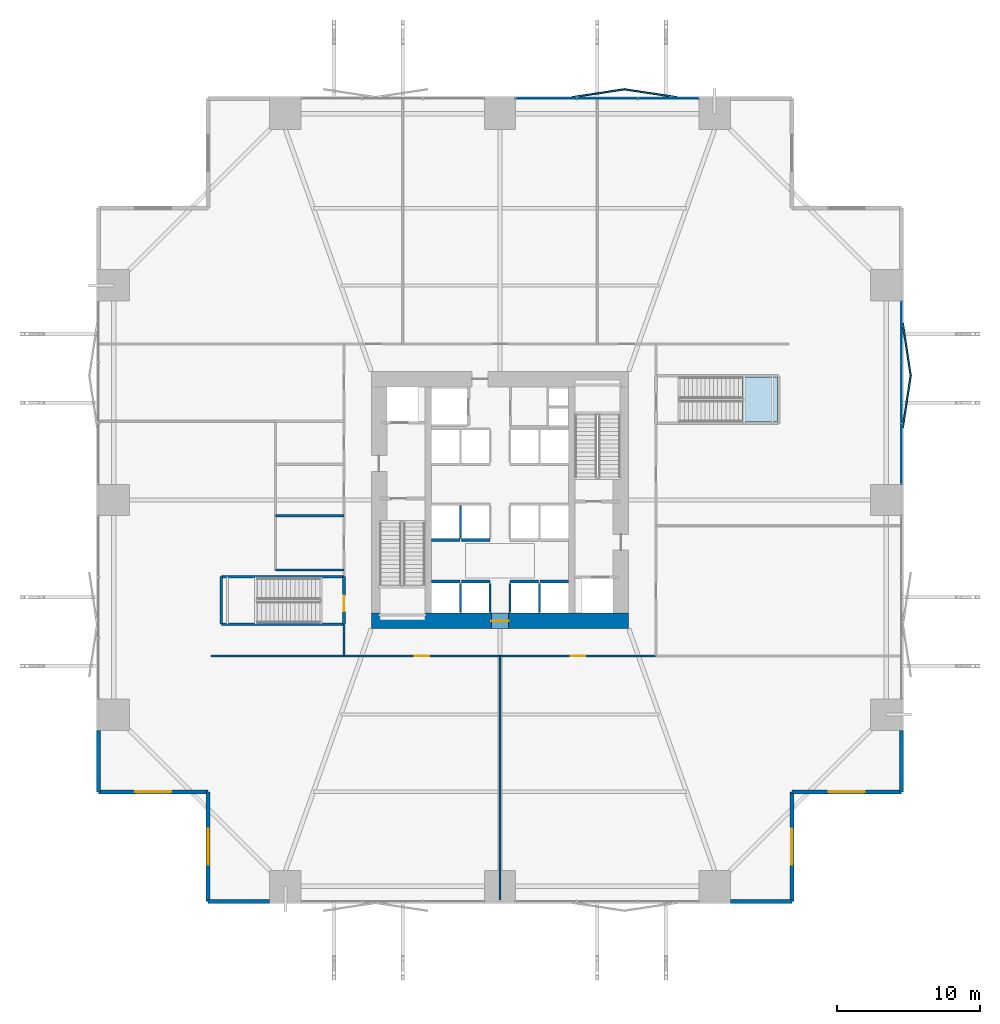
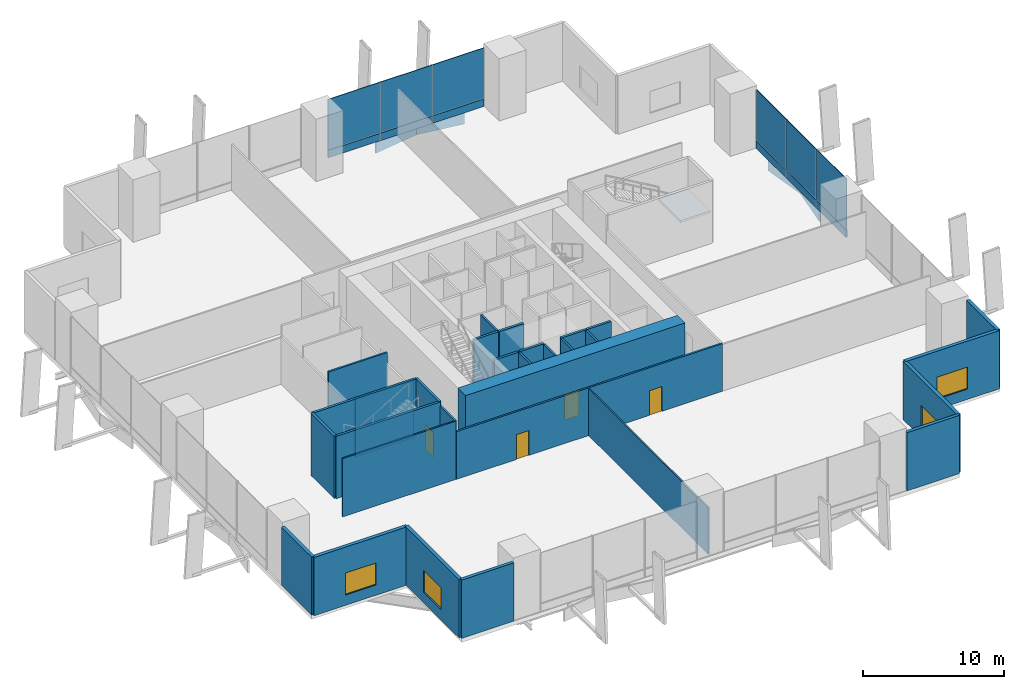
# One storey, part 19 of 24: 30 walls, 16 plates, 4 doors, 4 windows, 1 slab, 8 openings, 3 elements without a shape of their own.
"""IFC4 building model written with IfcOpenShell, lengths in metres."""

from ifc_helpers import new_model, si_unit, direction, frame, frame_2d, origin, origin_2d, place, context, subcontext, project, spatial, polyline, rectangle, outline, extrude, material, layer, layer_set, type_object, element, fill, aggregate, save


model = new_model("IFC4")

# Units and contexts
model_context = context("Model", 3, precision=1e-05, world=origin(), true_north=direction((0.0, 1.0)))
body_context = subcontext(model_context, "Body", "Model", "MODEL_VIEW")
ifc_project = project(units=[si_unit("LENGTHUNIT", "METRE"), si_unit("AREAUNIT", "SQUARE_METRE"), si_unit("VOLUMEUNIT", "CUBIC_METRE"), si_unit("PLANEANGLEUNIT", "RADIAN"), si_unit("MASSUNIT", "GRAM", prefix="KILO")], contexts=[model_context])

# Site, building, storey
site_placement = place(None, origin())
site = spatial("IfcSite", under=ifc_project, at=site_placement, CompositionType="ELEMENT")
building_placement = place(site_placement, origin())
building = spatial("IfcBuilding", under=site, at=building_placement, Name="Belovzor Exchange Tower", CompositionType="ELEMENT")
storey_placement = place(building_placement, frame((0.0, 0.0, 8.39990234375)))
storey = spatial("IfcBuildingStorey", under=building, at=storey_placement, Name="L02", CompositionType="ELEMENT", Elevation=8.39990234375)

# Plates
ifc_material_1 = material(Name="Extruded Architectural Terracotta", Category="masonry")
ifc_layer_1 = layer(ifc_material_1, 0.1201171875)
ifc_layer_set_1 = layer_set([ifc_layer_1], Name="Extruded Architectural Terracotta")
plate_type_1 = type_object("IfcPlateType", Name="Folded Zigzag Terracotta Spandrel Louvre 80", PredefinedType="USERDEFINED", material=ifc_layer_set_1)
for number, where, z_axis, x_axis, name in (
    (1, (35.699951171875, 57.235107421875, -1.03515625), (0.0, 0.0, 1.0), (0.98853081729, 0.151019281113, 0.0), "LVR-ZZ1 Zigzag Terracotta Spandrel Louvre L02 N2A"),
    (2, (39.300048828125, 57.235107421875, -1.03515625), (0.0, 0.0, 1.0), (0.98853081729, -0.151019281113, 0.0), "LVR-ZZ1 Zigzag Terracotta Spandrel Louvre L02 N2B"),
    (3, (57.235107421875, 35.699951171875, -1.03515625), (0.0, 0.0, 1.0), (0.151019281113, 0.98853081729, 0.0), "LVR-ZZ1 Zigzag Terracotta Spandrel Louvre L02 E2A"),
    (4, (57.235107421875, 39.300048828125, -1.03515625), (0.0, 0.0, 1.0), (-0.151019281113, 0.98853081729, 0.0), "LVR-ZZ1 Zigzag Terracotta Spandrel Louvre L02 E2B"),
):
    element("IfcPlate", number, at=place(storey_placement, frame(where, z_axis=z_axis, x_axis=x_axis)), inside=storey, type_object=plate_type_1, Name=name, ObjectType="SPANDREL_LOUVRE", PredefinedType="USERDEFINED", context=body_context, shape_type="SweptSolid", body=[
        extrude(rectangle(XDim=3.721923828125, YDim=0.1201171875, at=origin_2d()), origin(), (0.0, 0.0, 1.0), 1.050048828125),
    ])

# Curtain wall, plates
ifc_material_2 = material(Name="Anodised Aluminium Framing", Category="aluminium")
ifc_layer_2 = layer(ifc_material_2, 0.219970703125)
ifc_layer_set_2 = layer_set([ifc_layer_2], Name="Anodised Aluminium Framing")
curtain_wall_type = type_object("IfcCurtainWallType", Name="Podium Clear-Span Exchange Hall Unitised Curtain Wall", PredefinedType="NOTDEFINED", material=ifc_layer_set_2)
curtain_wall_1_placement = place(storey_placement, origin())
curtain_wall_1 = element("IfcCurtainWall", 5, at=curtain_wall_1_placement, inside=storey, type_object=curtain_wall_type, Name="CW1 Podium Clear-Span Exchange Hall Unitised Curtain Wall L02", PredefinedType="NOTDEFINED")
ifc_material_3 = material(Name="Reconstituted Limestone Cassette", Category="masonry")
ifc_layer_3 = layer(ifc_material_3, 0.110107421875)
ifc_layer_set_3 = layer_set([ifc_layer_3], Name="Reconstituted Limestone Cassette")
plate_type_2 = type_object("IfcPlateType", Name="Insulated Stone-Faced Spandrel Cassette 110", PredefinedType="CURTAIN_PANEL", material=ifc_layer_set_3)
plate_1_placement = place(storey_placement, frame((32.032958984375, 56.8701171875, 0.000244140625), z_axis=(0.0, 0.0, 1.0), x_axis=(1.0, 0.0, 0.0)))
plate_1 = element("IfcPlate", 6, at=plate_1_placement, type_object=plate_type_2, Name="SPD-110 Spandrel Panel 1", PredefinedType="CURTAIN_PANEL", context=body_context, shape_type="SweptSolid", body=[
    extrude(rectangle(XDim=4.2509765625, YDim=0.110107421875, at=origin_2d()), origin(), (0.0, 0.0, 1.0), 0.64794921875),
])
plate_2_placement = place(storey_placement, frame((36.300048828125, 56.8701171875, 0.000244140625), z_axis=(0.0, 0.0, 1.0), x_axis=(1.0, 0.0, 0.0)))
plate_2 = element("IfcPlate", 7, at=plate_2_placement, type_object=plate_type_2, Name="SPD-110 Spandrel Panel 2", PredefinedType="CURTAIN_PANEL", context=body_context, shape_type="SweptSolid", body=[
    extrude(rectangle(XDim=4.2509765625, YDim=0.110107421875, at=origin_2d()), origin(), (0.0, 0.0, 1.0), 0.64794921875),
])
plate_3_placement = place(storey_placement, frame((40.56689453125, 56.8701171875, 0.000244140625), z_axis=(0.0, 0.0, 1.0), x_axis=(1.0, 0.0, 0.0)))
plate_3 = element("IfcPlate", 8, at=plate_3_placement, type_object=plate_type_2, Name="SPD-110 Spandrel Panel 3", PredefinedType="CURTAIN_PANEL", context=body_context, shape_type="SweptSolid", body=[
    extrude(rectangle(XDim=4.2509765625, YDim=0.110107421875, at=origin_2d()), origin(), (0.0, 0.0, 1.0), 0.64794921875),
])

curtain_wall_2_placement = place(storey_placement, origin())
curtain_wall_2 = element("IfcCurtainWall", 9, at=curtain_wall_2_placement, inside=storey, type_object=curtain_wall_type, Name="CW1 Podium Clear-Span Exchange Hall Unitised Curtain Wall L02", PredefinedType="NOTDEFINED")
plate_4_placement = place(storey_placement, frame((56.8701171875, 40.56689453125, 0.000244140625), z_axis=(0.0, 0.0, 1.0), x_axis=(0.0, -1.0, 0.0)))
plate_4 = element("IfcPlate", 10, at=plate_4_placement, type_object=plate_type_2, Name="SPD-110 Spandrel Panel 1", PredefinedType="CURTAIN_PANEL", context=body_context, shape_type="SweptSolid", body=[
    extrude(rectangle(XDim=4.2509765625, YDim=0.110107421875, at=origin_2d()), origin(), (0.0, 0.0, 1.0), 0.64794921875),
])
plate_5_placement = place(storey_placement, frame((56.8701171875, 36.300048828125, 0.000244140625), z_axis=(0.0, 0.0, 1.0), x_axis=(0.0, -1.0, 0.0)))
plate_5 = element("IfcPlate", 11, at=plate_5_placement, type_object=plate_type_2, Name="SPD-110 Spandrel Panel 2", PredefinedType="CURTAIN_PANEL", context=body_context, shape_type="SweptSolid", body=[
    extrude(rectangle(XDim=4.2509765625, YDim=0.110107421875, at=origin_2d()), origin(), (0.0, 0.0, 1.0), 0.64794921875),
])
plate_6_placement = place(storey_placement, frame((56.8701171875, 32.032958984375, 0.000244140625), z_axis=(0.0, 0.0, 1.0), x_axis=(0.0, -1.0, 0.0)))
plate_6 = element("IfcPlate", 12, at=plate_6_placement, type_object=plate_type_2, Name="SPD-110 Spandrel Panel 3", PredefinedType="CURTAIN_PANEL", context=body_context, shape_type="SweptSolid", body=[
    extrude(rectangle(XDim=4.2509765625, YDim=0.110107421875, at=origin_2d()), origin(), (0.0, 0.0, 1.0), 0.64794921875),
])

# Stair, slab
ifc_material_4 = material(Name="Concrete C40/50", Category="concrete")
stair_type = type_object("IfcStairType", Name="Reinforced Concrete Podium Escape Stair 1400", PredefinedType="HALF_TURN_STAIR", material=ifc_material_4)
stair_placement = place(storey_placement, origin())
stair = element("IfcStair", 13, at=stair_placement, inside=storey, type_object=stair_type, Name="L02 ST-4", PredefinedType="HALF_TURN_STAIR")
ifc_material_5 = material(Name="Concrete C40/50", Category="concrete")
ifc_layer_4 = layer(ifc_material_5, 0.199951171875)
ifc_layer_set_4 = layer_set([ifc_layer_4], Name="Concrete C40/50")
slab_type = type_object("IfcSlabType", Name="Reinforced Concrete Stair Half-Landing Slab 200", PredefinedType="LANDING", material=ifc_layer_set_4)
slab_placement = place(storey_placement, frame((0.0, 0.0, 2.5)))
slab = element("IfcSlab", 14, at=slab_placement, type_object=slab_type, Name="ST-4 landing 1", PredefinedType="LANDING", context=body_context, shape_type="SweptSolid", body=[
    extrude(outline(polyline([(45.75, 34.25), (48.199951171875, 34.25), (48.199951171875, 37.39990234375), (45.75, 37.39990234375), (45.75, 34.25)])), origin(), (0.0, 0.0, 1.0), 0.2001953125),
])
aggregate(stair, [slab])

# Plate
ifc_material_6 = material(Name="Low-Iron Triple Glazing", Category="glass")
ifc_layer_5 = layer(ifc_material_6, 0.053955078125)
ifc_layer_set_5 = layer_set([ifc_layer_5], Name="Low-Iron Triple Glazing")
plate_type_3 = type_object("IfcPlateType", Name="Triple-Glazed Low-Iron Curtain Panel 54", PredefinedType="CURTAIN_PANEL", material=ifc_layer_set_5)
plate_7_placement = place(storey_placement, frame((32.032958984375, 56.8701171875, 0.652099609375), z_axis=(0.0, 0.0, 1.0), x_axis=(1.0, 0.0, 0.0)))
plate_7 = element("IfcPlate", 15, at=plate_7_placement, type_object=plate_type_3, Name="GLZ-54 Glazed Curtain Panel 1", PredefinedType="CURTAIN_PANEL", context=body_context, shape_type="SweptSolid", body=[
    extrude(rectangle(XDim=4.2509765625, YDim=0.053955078125, at=origin_2d()), origin(), (0.0, 0.0, 1.0), 4.39794921875),
])

plate_8_placement = place(storey_placement, frame((36.300048828125, 56.8701171875, 0.652099609375), z_axis=(0.0, 0.0, 1.0), x_axis=(1.0, 0.0, 0.0)))
plate_8 = element("IfcPlate", 16, at=plate_8_placement, type_object=plate_type_3, Name="GLZ-54 Glazed Curtain Panel 2", PredefinedType="CURTAIN_PANEL", context=body_context, shape_type="SweptSolid", body=[
    extrude(rectangle(XDim=4.2509765625, YDim=0.053955078125, at=origin_2d()), origin(), (0.0, 0.0, 1.0), 4.39794921875),
])

plate_9_placement = place(storey_placement, frame((40.56689453125, 56.8701171875, 0.652099609375), z_axis=(0.0, 0.0, 1.0), x_axis=(1.0, 0.0, 0.0)))
plate_9 = element("IfcPlate", 17, at=plate_9_placement, type_object=plate_type_3, Name="GLZ-54 Glazed Curtain Panel 3", PredefinedType="CURTAIN_PANEL", context=body_context, shape_type="SweptSolid", body=[
    extrude(rectangle(XDim=4.2509765625, YDim=0.053955078125, at=origin_2d()), origin(), (0.0, 0.0, 1.0), 4.39794921875),
])

aggregate(curtain_wall_1, [plate_1, plate_7, plate_2, plate_8, plate_3, plate_9])

plate_10_placement = place(storey_placement, frame((56.8701171875, 40.56689453125, 0.652099609375), z_axis=(0.0, 0.0, 1.0), x_axis=(0.0, -1.0, 0.0)))
plate_10 = element("IfcPlate", 18, at=plate_10_placement, type_object=plate_type_3, Name="GLZ-54 Glazed Curtain Panel 1", PredefinedType="CURTAIN_PANEL", context=body_context, shape_type="SweptSolid", body=[
    extrude(rectangle(XDim=4.2509765625, YDim=0.053955078125, at=origin_2d()), origin(), (0.0, 0.0, 1.0), 4.39794921875),
])

plate_11_placement = place(storey_placement, frame((56.8701171875, 36.300048828125, 0.652099609375), z_axis=(0.0, 0.0, 1.0), x_axis=(0.0, -1.0, 0.0)))
plate_11 = element("IfcPlate", 19, at=plate_11_placement, type_object=plate_type_3, Name="GLZ-54 Glazed Curtain Panel 2", PredefinedType="CURTAIN_PANEL", context=body_context, shape_type="SweptSolid", body=[
    extrude(rectangle(XDim=4.2509765625, YDim=0.053955078125, at=origin_2d()), origin(), (0.0, 0.0, 1.0), 4.39794921875),
])

plate_12_placement = place(storey_placement, frame((56.8701171875, 32.032958984375, 0.652099609375), z_axis=(0.0, 0.0, 1.0), x_axis=(0.0, -1.0, 0.0)))
plate_12 = element("IfcPlate", 20, at=plate_12_placement, type_object=plate_type_3, Name="GLZ-54 Glazed Curtain Panel 3", PredefinedType="CURTAIN_PANEL", context=body_context, shape_type="SweptSolid", body=[
    extrude(rectangle(XDim=4.2509765625, YDim=0.053955078125, at=origin_2d()), origin(), (0.0, 0.0, 1.0), 4.39794921875),
])

aggregate(curtain_wall_2, [plate_4, plate_10, plate_5, plate_11, plate_6, plate_12])

# Walls
ifc_material_7 = material(Name="Acoustic Plasterboard on Galvanised Studs", Category="gypsum")
ifc_layer_6 = layer(ifc_material_7, 0.1201171875)
ifc_layer_set_6 = layer_set([ifc_layer_6], Name="Acoustic Plasterboard on Galvanised Studs")
wall_type_1 = type_object("IfcWallType", Name="Acoustic Double-Stud Partition Wall 120", PredefinedType="PARTITIONING", material=ifc_layer_set_6)
wall_1_placement = place(storey_placement, frame((28.800048828125, 0.85009765625, 0.0), z_axis=(0.0, 0.0, 1.0), x_axis=(0.0, 1.0, 0.0)))
element("IfcWall", 21, at=wall_1_placement, inside=storey, type_object=wall_type_1, Name="W-P120 Partition Wall W-L02-SD1", PredefinedType="PARTITIONING", context=body_context, shape_type="SweptSolid", body=[
    extrude(rectangle(XDim=17.0498046875, YDim=0.1201171875, at=frame_2d((8.52490234375, 0.0))), origin(), (0.0, 0.0, 1.0), 4.03515625),
])
wall_2_placement = place(storey_placement, frame((8.60009765625, 17.89990234375, 0.0), z_axis=(0.0, 0.0, 1.0), x_axis=(1.0, 0.0, 0.0)))
element("IfcWall", 22, at=wall_2_placement, inside=storey, type_object=wall_type_1, Name="W-P120 Partition Wall W-L02-OUT-SW", PredefinedType="PARTITIONING", context=body_context, shape_type="SweptSolid", body=[
    extrude(rectangle(XDim=9.2998046875, YDim=0.1201171875, at=frame_2d((4.64990234375, 0.0))), origin(), (0.0, 0.0, 1.0), 5.050048828125),
])
ifc_material_8 = material(Name="Fire-Rated Gypsum Block and Mineral Wool", Category="gypsum")
ifc_layer_7 = layer(ifc_material_8, 0.14990234375)
ifc_layer_set_7 = layer_set([ifc_layer_7], Name="Fire-Rated Gypsum Block and Mineral Wool")
wall_type_2 = type_object("IfcWallType", Name="Fire-Rated Gypsum Block Corridor Wall 150", PredefinedType="PARTITIONING", material=ifc_layer_set_7)
for number, where, z_axis, x_axis, name in (
    (23, (13.10009765625, 23.89990234375, 0.0), (0.0, 0.0, 1.0), (1.0, 0.0, 0.0), "W-P150 Partition Wall W-L02-WC-S"),
    (24, (13.10009765625, 27.699951171875, 0.0), (0.0, 0.0, 1.0), (1.0, 0.0, 0.0), "W-P150 Partition Wall W-L02-WC-D1"),
):
    element("IfcWall", number, at=place(storey_placement, frame(where, z_axis=z_axis, x_axis=x_axis)), inside=storey, type_object=wall_type_2, Name=name, PredefinedType="PARTITIONING", context=body_context, shape_type="SweptSolid", body=[
        extrude(rectangle(XDim=4.7998046875, YDim=0.14990234375, at=frame_2d((2.39990234375, 0.0))), origin(), (0.0, 0.0, 1.0), 5.050048828125),
    ])

# Wall, openings, doors
wall_3_placement = place(storey_placement, frame((17.89990234375, 17.89990234375, 0.0), z_axis=(0.0, 0.0, 1.0), x_axis=(1.0, 0.0, 0.0)))
wall_3 = element("IfcWall", 25, at=wall_3_placement, inside=storey, type_object=wall_type_2, Name="W-P150 Partition Wall W-L02-CS", PredefinedType="PARTITIONING", context=body_context, shape_type="SweptSolid", body=[
    extrude(rectangle(XDim=21.800048828125, YDim=0.14990234375, at=frame_2d((10.89990234375, 0.0))), origin(), (0.0, 0.0, 1.0), 4.135009765625),
])
opening_1_placement = place(wall_3_placement, frame((4.949951171875, 0.0, 0.0)))
opening_1 = element("IfcOpeningElement", 26, at=opening_1_placement, cuts=wall_3, Name="Opening D-FD60-105", PredefinedType="OPENING", context=body_context, shape_type="SweptSolid", body=[
    extrude(rectangle(XDim=1.0, YDim=2.14990234375, at=frame_2d((0.5, 1.074951171875))), frame((0.0, 0.0849609375, 0.0), z_axis=(0.0, -1.0, 0.0), x_axis=(1.0, 0.0, 0.0)), (0.0, 0.0, 1.0), 0.169921875),
])
opening_2_placement = place(wall_3_placement, frame((15.85009765625, 0.0, 0.0)))
opening_2 = element("IfcOpeningElement", 27, at=opening_2_placement, cuts=wall_3, Name="Opening D-FD60-105", PredefinedType="OPENING", context=body_context, shape_type="SweptSolid", body=[
    extrude(rectangle(XDim=1.0, YDim=2.14990234375, at=frame_2d((0.5, 1.074951171875))), frame((0.0, 0.0849609375, 0.0), z_axis=(0.0, -1.0, 0.0), x_axis=(1.0, 0.0, 0.0)), (0.0, 0.0, 1.0), 0.169921875),
])
ifc_material_9 = material(Name="Acoustic Timber Fire Leaf", Category="wood")
door_type_1 = type_object("IfcDoorType", Name="Podium Gallery Acoustic Fire Door 1000x2150", OperationType="NOTDEFINED", PredefinedType="DOOR", material=ifc_material_9)
door_1_placement = place(opening_1_placement, origin())
door_1 = element("IfcDoor", 28, at=door_1_placement, inside=storey, type_object=door_type_1, Name="D-FD60-105 Podium Gallery Acoustic Fire Door 1000x2150", OperationType="SINGLE_SWING_LEFT", OverallHeight=2.14990234375, OverallWidth=1.0, PredefinedType="DOOR", context=body_context, shape_type="SweptSolid", body=[
    extrude(rectangle(XDim=1.0, YDim=2.14990234375, at=frame_2d((0.5, 1.074951171875))), frame((0.0, 0.02490234375, 0.0), z_axis=(0.0, -1.0, 0.0), x_axis=(1.0, 0.0, 0.0)), (0.0, 0.0, 1.0), 0.050048828125),
])
fill(opening_1, door_1)
door_2_placement = place(opening_2_placement, origin())
door_2 = element("IfcDoor", 29, at=door_2_placement, inside=storey, type_object=door_type_1, Name="D-FD60-105 Podium Gallery Acoustic Fire Door 1000x2150", OperationType="SINGLE_SWING_LEFT", OverallHeight=2.14990234375, OverallWidth=1.0, PredefinedType="DOOR", context=body_context, shape_type="SweptSolid", body=[
    extrude(rectangle(XDim=1.0, YDim=2.14990234375, at=frame_2d((0.5, 1.074951171875))), frame((0.0, 0.02490234375, 0.0), z_axis=(0.0, -1.0, 0.0), x_axis=(1.0, 0.0, 0.0)), (0.0, 0.0, 1.0), 0.050048828125),
])
fill(opening_2, door_2)

# Wall
wall_4_placement = place(storey_placement, frame((17.89990234375, 17.89990234375, 0.0), z_axis=(0.0, 0.0, 1.0), x_axis=(0.0, 1.0, 0.0)))
element("IfcWall", 30, at=wall_4_placement, inside=storey, type_object=wall_type_2, Name="W-P150 Partition Wall W-L02-CWS", PredefinedType="PARTITIONING", context=body_context, shape_type="SweptSolid", body=[
    extrude(rectangle(XDim=2.2001953125, YDim=0.14990234375, at=frame_2d((1.10009765625, 0.0))), origin(), (0.0, 0.0, 1.0), 5.050048828125),
])

# Wall, opening, window
ifc_material_10 = material(Name="Precast concrete C40/50", Category="concrete")
ifc_layer_8 = layer(ifc_material_10, 0.280029296875)
ifc_layer_set_8 = layer_set([ifc_layer_8], Name="Precast concrete C40/50")
wall_type_3 = type_object("IfcWallType", Name="Precast Concrete Notched Corner Frame Wall 280", PredefinedType="SOLIDWALL", material=ifc_layer_set_8)
wall_5_placement = place(storey_placement, frame((8.39990234375, 0.72998046875, 0.0), z_axis=(0.0, 0.0, 1.0), x_axis=(0.0, 1.0, 0.0)))
wall_5 = element("IfcWall", 31, at=wall_5_placement, inside=storey, type_object=wall_type_3, Name="W-CRN280 Precast Concrete Notched Corner Frame Wall 280 L02", PredefinedType="SOLIDWALL", context=body_context, shape_type="SweptSolid", body=[
    extrude(rectangle(XDim=7.669921875, YDim=0.280029296875, at=frame_2d((3.8349609375, 0.0))), origin(), (0.0, 0.0, 1.0), 5.050048828125),
])
opening_3_placement = place(wall_5_placement, frame((2.5849609375, 0.0, 0.89990234375)))
opening_3 = element("IfcOpeningElement", 32, at=opening_3_placement, cuts=wall_5, Name="Opening WN-CRN250", PredefinedType="OPENING", context=body_context, shape_type="SweptSolid", body=[
    extrude(rectangle(XDim=2.5, YDim=1.89990234375, at=frame_2d((1.25, 0.949951171875))), frame((0.0, 0.14990234375, 0.0), z_axis=(0.0, -1.0, 0.0), x_axis=(1.0, 0.0, 0.0)), (0.0, 0.0, 1.0), 0.300048828125),
])
ifc_material_11 = material(Name="Thermally Broken Aluminium and Triple Glazing", Category="aluminium")
window_type = type_object("IfcWindowType", Name="Streamline Moderne Corner Wrap Ribbon Window 2500x1900", PartitioningType="SINGLE_PANEL", PredefinedType="WINDOW", material=ifc_material_11)
window_1_placement = place(opening_3_placement, origin())
window_1 = element("IfcWindow", 33, at=window_1_placement, inside=storey, type_object=window_type, Name="WN-CRN250 Streamline Moderne Corner Wrap Ribbon Window 2500x1900", OverallHeight=1.89990234375, OverallWidth=2.5, PartitioningType="SINGLE_PANEL", PredefinedType="WINDOW", context=body_context, shape_type="SweptSolid", body=[
    extrude(rectangle(XDim=2.5, YDim=1.89990234375, at=frame_2d((1.25, 0.949951171875))), frame((0.0, 0.030029296875, 0.0), z_axis=(0.0, -1.0, 0.0), x_axis=(1.0, 0.0, 0.0)), (0.0, 0.0, 1.0), 0.06005859375),
])
fill(opening_3, window_1)

wall_6_placement = place(storey_placement, frame((8.39990234375, 8.39990234375, 0.0), z_axis=(0.0, 0.0, 1.0), x_axis=(-1.0, 0.0, 0.0)))
wall_6 = element("IfcWall", 34, at=wall_6_placement, inside=storey, type_object=wall_type_3, Name="W-CRN280 Precast Concrete Notched Corner Frame Wall 280 L02", PredefinedType="SOLIDWALL", context=body_context, shape_type="SweptSolid", body=[
    extrude(rectangle(XDim=7.669921875, YDim=0.280029296875, at=frame_2d((3.8349609375, 0.0))), origin(), (0.0, 0.0, 1.0), 5.050048828125),
])
opening_4_placement = place(wall_6_placement, frame((2.5849609375, 0.0, 0.89990234375)))
opening_4 = element("IfcOpeningElement", 35, at=opening_4_placement, cuts=wall_6, Name="Opening WN-CRN250", PredefinedType="OPENING", context=body_context, shape_type="SweptSolid", body=[
    extrude(rectangle(XDim=2.5, YDim=1.89990234375, at=frame_2d((1.25, 0.949951171875))), frame((0.0, 0.14990234375, 0.0), z_axis=(0.0, -1.0, 0.0), x_axis=(1.0, 0.0, 0.0)), (0.0, 0.0, 1.0), 0.300048828125),
])
window_2_placement = place(opening_4_placement, origin())
window_2 = element("IfcWindow", 36, at=window_2_placement, inside=storey, type_object=window_type, Name="WN-CRN250 Streamline Moderne Corner Wrap Ribbon Window 2500x1900", OverallHeight=1.89990234375, OverallWidth=2.5, PartitioningType="SINGLE_PANEL", PredefinedType="WINDOW", context=body_context, shape_type="SweptSolid", body=[
    extrude(rectangle(XDim=2.5, YDim=1.89990234375, at=frame_2d((1.25, 0.949951171875))), frame((0.0, 0.030029296875, 0.0), z_axis=(0.0, -1.0, 0.0), x_axis=(1.0, 0.0, 0.0)), (0.0, 0.0, 1.0), 0.06005859375),
])
fill(opening_4, window_2)

wall_7_placement = place(storey_placement, frame((56.8701171875, 8.39990234375, 0.0), z_axis=(0.0, 0.0, 1.0), x_axis=(-1.0, 0.0, 0.0)))
wall_7 = element("IfcWall", 37, at=wall_7_placement, inside=storey, type_object=wall_type_3, Name="W-CRN280 Precast Concrete Notched Corner Frame Wall 280 L02", PredefinedType="SOLIDWALL", context=body_context, shape_type="SweptSolid", body=[
    extrude(rectangle(XDim=7.670166015625, YDim=0.280029296875, at=frame_2d((3.8349609375, 0.0))), origin(), (0.0, 0.0, 1.0), 5.050048828125),
])
opening_5_placement = place(wall_7_placement, frame((2.5849609375, 0.0, 0.89990234375)))
opening_5 = element("IfcOpeningElement", 38, at=opening_5_placement, cuts=wall_7, Name="Opening WN-CRN250", PredefinedType="OPENING", context=body_context, shape_type="SweptSolid", body=[
    extrude(rectangle(XDim=2.5, YDim=1.89990234375, at=frame_2d((1.25, 0.949951171875))), frame((0.0, 0.14990234375, 0.0), z_axis=(0.0, -1.0, 0.0), x_axis=(1.0, 0.0, 0.0)), (0.0, 0.0, 1.0), 0.300048828125),
])
window_3_placement = place(opening_5_placement, origin())
window_3 = element("IfcWindow", 39, at=window_3_placement, inside=storey, type_object=window_type, Name="WN-CRN250 Streamline Moderne Corner Wrap Ribbon Window 2500x1900", OverallHeight=1.89990234375, OverallWidth=2.5, PartitioningType="SINGLE_PANEL", PredefinedType="WINDOW", context=body_context, shape_type="SweptSolid", body=[
    extrude(rectangle(XDim=2.5, YDim=1.89990234375, at=frame_2d((1.25, 0.949951171875))), frame((0.0, 0.030029296875, 0.0), z_axis=(0.0, -1.0, 0.0), x_axis=(1.0, 0.0, 0.0)), (0.0, 0.0, 1.0), 0.06005859375),
])
fill(opening_5, window_3)

wall_8_placement = place(storey_placement, frame((49.199951171875, 8.39990234375, 0.0), z_axis=(0.0, 0.0, 1.0), x_axis=(0.0, -1.0, 0.0)))
wall_8 = element("IfcWall", 40, at=wall_8_placement, inside=storey, type_object=wall_type_3, Name="W-CRN280 Precast Concrete Notched Corner Frame Wall 280 L02", PredefinedType="SOLIDWALL", context=body_context, shape_type="SweptSolid", body=[
    extrude(rectangle(XDim=7.669921875, YDim=0.280029296875, at=frame_2d((3.8349609375, 0.0))), origin(), (0.0, 0.0, 1.0), 5.050048828125),
])
opening_6_placement = place(wall_8_placement, frame((2.5849609375, 0.0, 0.89990234375)))
opening_6 = element("IfcOpeningElement", 41, at=opening_6_placement, cuts=wall_8, Name="Opening WN-CRN250", PredefinedType="OPENING", context=body_context, shape_type="SweptSolid", body=[
    extrude(rectangle(XDim=2.5, YDim=1.89990234375, at=frame_2d((1.25, 0.949951171875))), frame((0.0, 0.14990234375, 0.0), z_axis=(0.0, -1.0, 0.0), x_axis=(1.0, 0.0, 0.0)), (0.0, 0.0, 1.0), 0.300048828125),
])
window_4_placement = place(opening_6_placement, origin())
window_4 = element("IfcWindow", 42, at=window_4_placement, inside=storey, type_object=window_type, Name="WN-CRN250 Streamline Moderne Corner Wrap Ribbon Window 2500x1900", OverallHeight=1.89990234375, OverallWidth=2.5, PartitioningType="SINGLE_PANEL", PredefinedType="WINDOW", context=body_context, shape_type="SweptSolid", body=[
    extrude(rectangle(XDim=2.5, YDim=1.89990234375, at=frame_2d((1.25, 0.949951171875))), frame((0.0, 0.030029296875, 0.0), z_axis=(0.0, -1.0, 0.0), x_axis=(1.0, 0.0, 0.0)), (0.0, 0.0, 1.0), 0.06005859375),
])
fill(opening_6, window_4)

# Walls
ifc_material_12 = material(Name="Precast concrete C40/50", Category="concrete")
ifc_layer_9 = layer(ifc_material_12, 0.260009765625)
ifc_layer_set_9 = layer_set([ifc_layer_9], Name="Precast concrete C40/50")
wall_type_4 = type_object("IfcWallType", Name="Precast Concrete Perimeter Loggia Frame Wall 260", PredefinedType="SOLIDWALL", material=ifc_layer_set_9)
for number, where, z_axis, x_axis, name in (
    (43, (12.699951171875, 0.72998046875, 0.0), (0.0, 0.0, 1.0), (-1.0, 0.0, 0.0), "W-EXT260 Precast Concrete Perimeter Loggia Frame Wall 260 L02"),
    (44, (49.199951171875, 0.72998046875, 0.0), (0.0, 0.0, 1.0), (-1.0, 0.0, 0.0), "W-EXT260 Precast Concrete Perimeter Loggia Frame Wall 260 L02"),
    (45, (0.72998046875, 8.39990234375, 0.0), (0.0, 0.0, 1.0), (0.0, 1.0, 0.0), "W-EXT260 Precast Concrete Perimeter Loggia Frame Wall 260 L02"),
    (46, (56.8701171875, 12.699951171875, 0.0), (0.0, 0.0, 1.0), (0.0, -1.0, 0.0), "W-EXT260 Precast Concrete Perimeter Loggia Frame Wall 260 L02"),
):
    element("IfcWall", number, at=place(storey_placement, frame(where, z_axis=z_axis, x_axis=x_axis)), inside=storey, type_object=wall_type_4, Name=name, PredefinedType="SOLIDWALL", context=body_context, shape_type="SweptSolid", body=[
        extrude(rectangle(XDim=4.300048828125, YDim=0.260009765625, at=frame_2d((2.14990234375, 0.0))), origin(), (0.0, 0.0, 1.0), 5.050048828125),
    ])
ifc_material_13 = material(Name="Concrete C50/60", Category="concrete")
ifc_layer_10 = layer(ifc_material_13, 0.14990234375)
ifc_layer_set_10 = layer_set([ifc_layer_10], Name="Concrete C50/60")
wall_type_5 = type_object("IfcWallType", Name="Reinforced Concrete Core Riser Shear Wall 150", PredefinedType="SHEAR", material=ifc_layer_set_10)
for number, where, z_axis, x_axis, name in (
    (47, (26.050048828125, 20.919921875, 0.0), (0.0, 0.0, 1.0), (0.0, 1.0, 0.0), "W-C150S Core Shaft Wall W-SHD-L02-PLL-1"),
    (48, (28.10009765625, 20.919921875, 0.0), (0.0, 0.0, 1.0), (0.0, 1.0, 0.0), "W-C150S Core Shaft Wall W-SHD-L02-PLL-2"),
    (49, (29.5, 20.919921875, 0.0), (0.0, 0.0, 1.0), (0.0, 1.0, 0.0), "W-C150S Core Shaft Wall W-SHD-L02-PLL-3"),
    (50, (31.550048828125, 20.919921875, 0.0), (0.0, 0.0, 1.0), (0.0, 1.0, 0.0), "W-C150S Core Shaft Wall W-SHD-L02-PLL-4"),
):
    element("IfcWall", number, at=place(storey_placement, frame(where, z_axis=z_axis, x_axis=x_axis)), inside=storey, type_object=wall_type_5, Name=name, PredefinedType="SHEAR", context=body_context, shape_type="SweptSolid", body=[
        extrude(rectangle(XDim=2.06005859375, YDim=0.14990234375, at=frame_2d((1.030029296875, 0.0))), origin(), (0.0, 0.0, 1.0), 5.050048828125),
    ])
wall_9_placement = place(storey_placement, frame((26.050048828125, 26.1201171875, 0.0), z_axis=(0.0, 0.0, 1.0), x_axis=(0.0, 1.0, 0.0)))
element("IfcWall", 51, at=wall_9_placement, inside=storey, type_object=wall_type_5, Name="W-C150S Core Shaft Wall W-SHD-L02-PLM-1", PredefinedType="SHEAR", context=body_context, shape_type="SweptSolid", body=[
    extrude(rectangle(XDim=2.27978515625, YDim=0.14990234375, at=frame_2d((1.139892578125, 0.0))), origin(), (0.0, 0.0, 1.0), 5.050048828125),
])
ifc_material_14 = material(Name="Concrete C50/60", Category="concrete")
ifc_layer_11 = layer(ifc_material_14, 0.199951171875)
ifc_layer_set_11 = layer_set([ifc_layer_11], Name="Concrete C50/60")
wall_type_6 = type_object("IfcWallType", Name="Reinforced Concrete Core Shaft Shear Wall 200", PredefinedType="SHEAR", material=ifc_layer_set_11)
for number, where, z_axis, x_axis, name in (
    (52, (24.0, 23.10009765625, 0.0), (0.0, 0.0, 1.0), (1.0, 0.0, 0.0), "W-C200S Core Shaft Wall W-SH-L02-PL-L1"),
    (53, (26.10009765625, 23.10009765625, 0.0), (0.0, 0.0, 1.0), (1.0, 0.0, 0.0), "W-C200S Core Shaft Wall W-SH-L02-PL-L2"),
    (54, (29.5, 23.10009765625, 0.0), (0.0, 0.0, 1.0), (1.0, 0.0, 0.0), "W-C200S Core Shaft Wall W-SH-L02-PL-L3"),
    (55, (31.60009765625, 23.10009765625, 0.0), (0.0, 0.0, 1.0), (1.0, 0.0, 0.0), "W-C200S Core Shaft Wall W-SH-L02-PL-L4"),
    (56, (24.0, 26.0, 0.0), (0.0, 0.0, 1.0), (1.0, 0.0, 0.0), "W-C200S Core Shaft Wall W-SH-L02-PL-M1"),
    (57, (26.10009765625, 26.0, 0.0), (0.0, 0.0, 1.0), (1.0, 0.0, 0.0), "W-C200S Core Shaft Wall W-SH-L02-PL-M2"),
):
    element("IfcWall", number, at=place(storey_placement, frame(where, z_axis=z_axis, x_axis=x_axis)), inside=storey, type_object=wall_type_6, Name=name, PredefinedType="SHEAR", context=body_context, shape_type="SweptSolid", body=[
        extrude(rectangle(XDim=2.0, YDim=0.199951171875, at=frame_2d((1.0, 0.0))), origin(), (0.0, 0.0, 1.0), 5.050048828125),
    ])
for number, where, z_axis, x_axis, name in (
    (58, (9.31494140625, 20.114990234375, 0.0), (0.0, 0.0, 1.0), (1.0, 0.0, 0.0), "W-C200S Core Shaft Wall W-ST3-L02-S"),
    (59, (9.31494140625, 23.43505859375, 0.0), (0.0, 0.0, 1.0), (1.0, 0.0, 0.0), "W-C200S Core Shaft Wall W-ST3-L02-N"),
):
    element("IfcWall", number, at=place(storey_placement, frame(where, z_axis=z_axis, x_axis=x_axis)), inside=storey, type_object=wall_type_6, Name=name, PredefinedType="SHEAR", context=body_context, shape_type="SweptSolid", body=[
        extrude(rectangle(XDim=8.570068359375, YDim=0.199951171875, at=frame_2d((4.28515625, 0.0))), origin(), (0.0, 0.0, 1.0), 5.398193359375),
    ])
wall_10_placement = place(storey_placement, frame((9.31494140625, 20.114990234375, 0.0), z_axis=(0.0, 0.0, 1.0), x_axis=(0.0, 1.0, 0.0)))
element("IfcWall", 60, at=wall_10_placement, inside=storey, type_object=wall_type_6, Name="W-C200S Core Shaft Wall W-ST3-L02-W", PredefinedType="SHEAR", context=body_context, shape_type="SweptSolid", body=[
    extrude(rectangle(XDim=3.320068359375, YDim=0.199951171875, at=frame_2d((1.66015625, 0.0))), origin(), (0.0, 0.0, 1.0), 5.398193359375),
])

# Wall, opening, door
wall_11_placement = place(storey_placement, frame((17.885009765625, 20.114990234375, 0.0), z_axis=(0.0, 0.0, 1.0), x_axis=(0.0, 1.0, 0.0)))
wall_11 = element("IfcWall", 61, at=wall_11_placement, inside=storey, type_object=wall_type_6, Name="W-C200S Core Shaft Wall W-ST3-L02-E", PredefinedType="SHEAR", context=body_context, shape_type="SweptSolid", body=[
    extrude(rectangle(XDim=3.320068359375, YDim=0.199951171875, at=frame_2d((1.66015625, 0.0))), origin(), (0.0, 0.0, 1.0), 5.398193359375),
])
opening_7_placement = place(wall_11_placement, frame((0.89990234375, 0.0, 0.0)))
opening_7 = element("IfcOpeningElement", 62, at=opening_7_placement, cuts=wall_11, Name="Opening D-FD90-110", PredefinedType="OPENING", context=body_context, shape_type="SweptSolid", body=[
    extrude(rectangle(XDim=1.10009765625, YDim=2.14990234375, at=frame_2d((0.550048828125, 1.074951171875))), frame((0.0, 0.10986328125, 0.0), z_axis=(0.0, -1.0, 0.0), x_axis=(1.0, 0.0, 0.0)), (0.0, 0.0, 1.0), 0.219970703125),
])
ifc_material_15 = material(Name="Fire-Rated Galvanised Steel Leaf", Category="steel")
door_type_2 = type_object("IfcDoorType", Name="Protected Escape Vestibule Fire Door 1100x2150", OperationType="NOTDEFINED", PredefinedType="DOOR", material=ifc_material_15)
door_3_placement = place(opening_7_placement, origin())
door_3 = element("IfcDoor", 63, at=door_3_placement, inside=storey, type_object=door_type_2, Name="D-FD90-110 Protected Escape Vestibule Fire Door 1100x2150", OperationType="SINGLE_SWING_LEFT", OverallHeight=2.14990234375, OverallWidth=1.10009765625, PredefinedType="DOOR", context=body_context, shape_type="SweptSolid", body=[
    extrude(rectangle(XDim=1.10009765625, YDim=2.14990234375, at=frame_2d((0.550048828125, 1.074951171875))), frame((0.0, 0.02490234375, 0.0), z_axis=(0.0, -1.0, 0.0), x_axis=(1.0, 0.0, 0.0)), (0.0, 0.0, 1.0), 0.050048828125),
])
fill(opening_7, door_3)

ifc_material_16 = material(Name="Concrete C60/75", Category="concrete")
ifc_layer_12 = layer(ifc_material_16, 1.10009765625)
ifc_layer_set_12 = layer_set([ifc_layer_12], Name="Concrete C60/75")
wall_type_7 = type_object("IfcWallType", Name="Reinforced Concrete Core Shear Wall 1100", PredefinedType="SHEAR", material=ifc_layer_set_12)
wall_12_placement = place(storey_placement, frame((19.800048828125, 20.35009765625, 0.0), z_axis=(0.0, 0.0, 1.0), x_axis=(1.0, 0.0, 0.0)))
wall_12 = element("IfcWall", 64, at=wall_12_placement, inside=storey, type_object=wall_type_7, Name="CW-S110 Core Shear Wall L02 S", PredefinedType="SHEAR", context=body_context, shape_type="SweptSolid", body=[
    extrude(rectangle(XDim=18.0, YDim=1.10009765625, at=frame_2d((9.0, 0.0))), origin(), (0.0, 0.0, 1.0), 5.400146484375),
])
opening_8_placement = place(wall_12_placement, frame((8.39990234375, 0.0, 0.0)))
opening_8 = element("IfcOpeningElement", 65, at=opening_8_placement, cuts=wall_12, Name="Opening D-FD90-120", PredefinedType="OPENING", context=body_context, shape_type="SweptSolid", body=[
    extrude(rectangle(XDim=1.199951171875, YDim=2.199951171875, at=frame_2d((0.60009765625, 1.10009765625))), frame((0.0, 0.56005859375, 0.0), z_axis=(0.0, -1.0, 0.0), x_axis=(1.0, 0.0, 0.0)), (0.0, 0.0, 1.0), 1.1201171875),
])
ifc_material_17 = material(Name="Fire-Rated Galvanised Steel Leaf", Category="steel")
door_type_3 = type_object("IfcDoorType", Name="Heavy Plant & Foyer Fire Door 1200x2200", OperationType="NOTDEFINED", PredefinedType="DOOR", material=ifc_material_17)
door_4_placement = place(opening_8_placement, origin())
door_4 = element("IfcDoor", 66, at=door_4_placement, inside=storey, type_object=door_type_3, Name="D-FD90-120 Heavy Plant & Foyer Fire Door 1200x2200", OperationType="SINGLE_SWING_LEFT", OverallHeight=2.199951171875, OverallWidth=1.199951171875, PredefinedType="DOOR", context=body_context, shape_type="SweptSolid", body=[
    extrude(rectangle(XDim=1.199951171875, YDim=2.199951171875, at=frame_2d((0.60009765625, 1.10009765625))), frame((0.0, 0.02490234375, 0.0), z_axis=(0.0, -1.0, 0.0), x_axis=(1.0, 0.0, 0.0)), (0.0, 0.0, 1.0), 0.050048828125),
])
fill(opening_8, door_4)

save(model, "model.ifc")
